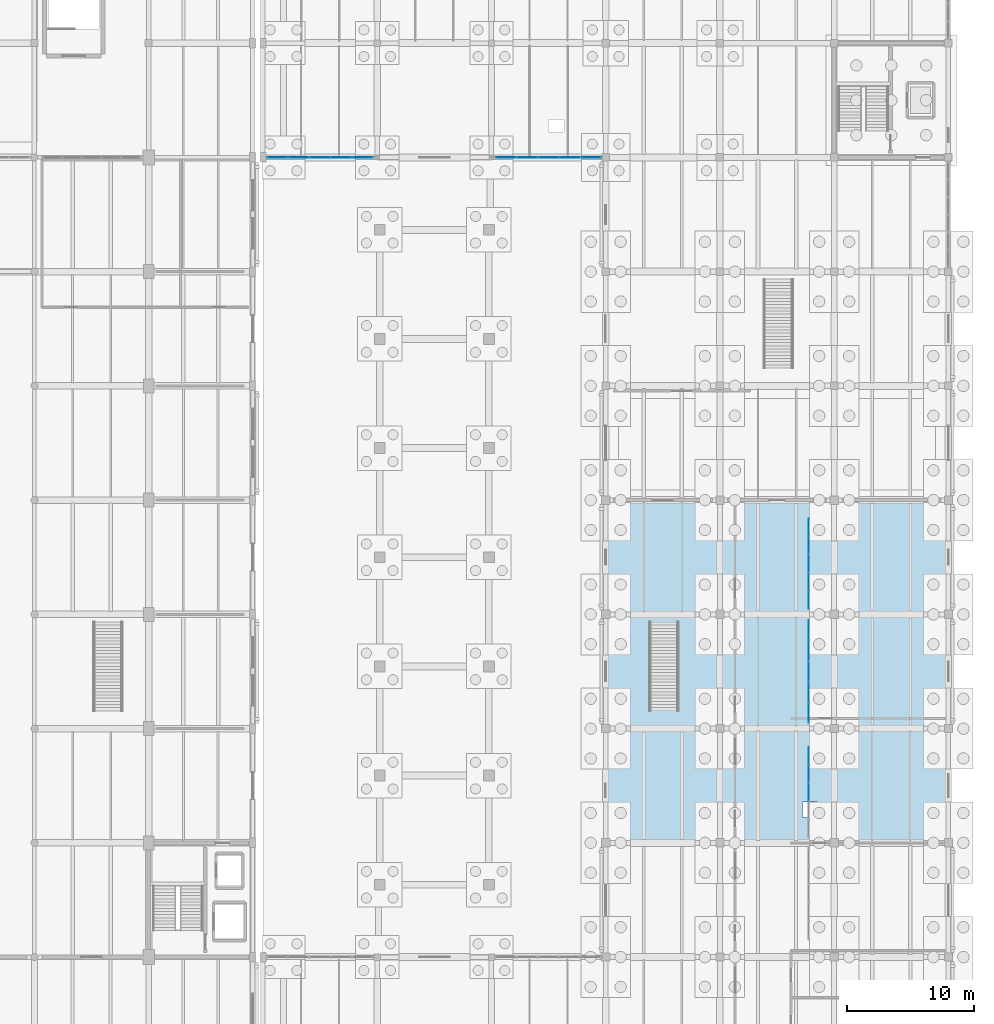
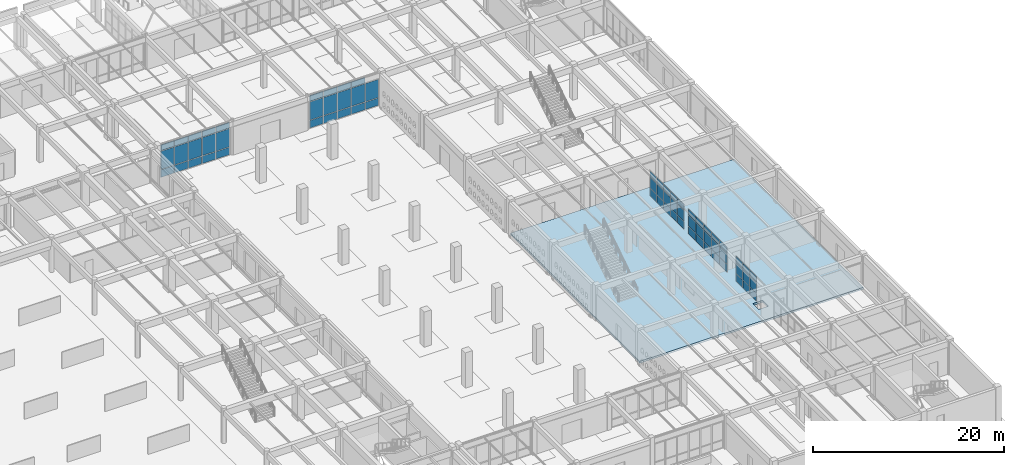
# One storey, part 152 of 186: 68 plates, 1 slab, 5 elements without a shape of their own.
"""IFC4 building model written with IfcOpenShell, lengths in metres."""

from ifc_helpers import new_model, si_unit, direction, frame, origin, origin_2d, place, context, subcontext, project, spatial, polyline, rectangle, outline, extrude, material, layer, layer_set, type_object, element, aggregate, save


model = new_model("IFC4")

# Units and contexts
model_context = context("Model", 3, precision=1e-05, world=origin(), true_north=direction((0.0, 1.0)))
body_context = subcontext(model_context, "Body", "Model", "MODEL_VIEW")
ifc_project = project(units=[si_unit("LENGTHUNIT", "METRE"), si_unit("AREAUNIT", "SQUARE_METRE"), si_unit("VOLUMEUNIT", "CUBIC_METRE"), si_unit("PLANEANGLEUNIT", "RADIAN"), si_unit("MASSUNIT", "GRAM", prefix="KILO")], contexts=[model_context])

# Site, building, storey
site_placement = place(None, origin())
site = spatial("IfcSite", under=ifc_project, at=site_placement, CompositionType="ELEMENT")
building_placement = place(site_placement, origin())
building = spatial("IfcBuilding", under=site, at=building_placement, Name="Ornek Quay Market", CompositionType="ELEMENT")
storey_placement = place(building_placement, origin())
storey = spatial("IfcBuildingStorey", under=building, at=storey_placement, Name="L00", CompositionType="ELEMENT", Elevation=0.0)

# Curtain wall, plates
ifc_material_1 = material(Name="Anodised bronze aluminium and triple low-e glass", Category="aluminium")
ifc_layer_1 = layer(ifc_material_1, 0.139892578125, Name="Anodised bronze aluminium and triple low-e glass", Category="aluminium")
ifc_layer_set_1 = layer_set([ifc_layer_1], Name="Anodised bronze aluminium and triple low-e glass")
curtain_wall_type_1 = type_object("IfcCurtainWallType", Name="CW-GALLERY-INT", PredefinedType="USERDEFINED", material=ifc_layer_set_1)
curtain_wall_1_placement = place(storey_placement, origin())
curtain_wall_1 = element("IfcCurtainWall", 1, at=curtain_wall_1_placement, inside=storey, type_object=curtain_wall_type_1, Name="Curtain wall CW-160", ObjectType="CURTAIN WALL", PredefinedType="USERDEFINED")
ifc_material_2 = material(Name="Toughened laminated acoustic glass", Category="glass")
ifc_layer_2 = layer(ifc_material_2, 0.01611328125, Name="Toughened laminated acoustic glass", Category="glass")
ifc_layer_set_2 = layer_set([ifc_layer_2], Name="Toughened laminated acoustic glass")
plate_type_1 = type_object("IfcPlateType", Name="PL-CW-INT-16", PredefinedType="CURTAIN_PANEL", material=ifc_layer_set_2)
plate_1_placement = place(storey_placement, frame((169.0, 42.0, 0.06005859375), z_axis=(0.0, 0.0, 1.0), x_axis=(0.0, 1.0, 0.0)))
plate_1 = element("IfcPlate", 2, at=plate_1_placement, type_object=plate_type_1, Name="CW-160 panel 3.1", PredefinedType="CURTAIN_PANEL", context=body_context, shape_type="SweptSolid", body=[
    extrude(rectangle(XDim=1.3798828125, YDim=0.01611328125, at=origin_2d()), origin(), (0.0, 0.0, 1.0), 0.9599609375),
])
plate_2_placement = place(storey_placement, frame((169.0, 42.0, 1.080078125), z_axis=(0.0, 0.0, 1.0), x_axis=(0.0, 1.0, 0.0)))
plate_2 = element("IfcPlate", 3, at=plate_2_placement, type_object=plate_type_1, Name="CW-160 panel 3.2", PredefinedType="CURTAIN_PANEL", context=body_context, shape_type="SweptSolid", body=[
    extrude(rectangle(XDim=1.3798828125, YDim=0.01611328125, at=origin_2d()), origin(), (0.0, 0.0, 1.0), 1.340087890625),
])
plate_3_placement = place(storey_placement, frame((169.0, 42.0, 2.47998046875), z_axis=(0.0, 0.0, 1.0), x_axis=(0.0, 1.0, 0.0)))
plate_3 = element("IfcPlate", 4, at=plate_3_placement, type_object=plate_type_1, Name="CW-160 panel 3.3", PredefinedType="CURTAIN_PANEL", context=body_context, shape_type="SweptSolid", body=[
    extrude(rectangle(XDim=1.3798828125, YDim=0.01611328125, at=origin_2d()), origin(), (0.0, 0.0, 1.0), 0.760009765625),
])
plate_4_placement = place(storey_placement, frame((169.0, 43.43994140625, 0.06005859375), z_axis=(0.0, 0.0, 1.0), x_axis=(0.0, 1.0, 0.0)))
plate_4 = element("IfcPlate", 5, at=plate_4_placement, type_object=plate_type_1, Name="CW-160 panel 4.1", PredefinedType="CURTAIN_PANEL", context=body_context, shape_type="SweptSolid", body=[
    extrude(rectangle(XDim=1.3798828125, YDim=0.01611328125, at=origin_2d()), origin(), (0.0, 0.0, 1.0), 0.9599609375),
])
plate_5_placement = place(storey_placement, frame((169.0, 43.43994140625, 1.080078125), z_axis=(0.0, 0.0, 1.0), x_axis=(0.0, 1.0, 0.0)))
plate_5 = element("IfcPlate", 6, at=plate_5_placement, type_object=plate_type_1, Name="CW-160 panel 4.2", PredefinedType="CURTAIN_PANEL", context=body_context, shape_type="SweptSolid", body=[
    extrude(rectangle(XDim=1.3798828125, YDim=0.01611328125, at=origin_2d()), origin(), (0.0, 0.0, 1.0), 1.340087890625),
])
plate_6_placement = place(storey_placement, frame((169.0, 43.43994140625, 2.47998046875), z_axis=(0.0, 0.0, 1.0), x_axis=(0.0, 1.0, 0.0)))
plate_6 = element("IfcPlate", 7, at=plate_6_placement, type_object=plate_type_1, Name="CW-160 panel 4.3", PredefinedType="CURTAIN_PANEL", context=body_context, shape_type="SweptSolid", body=[
    extrude(rectangle(XDim=1.3798828125, YDim=0.01611328125, at=origin_2d()), origin(), (0.0, 0.0, 1.0), 0.760009765625),
])
plate_7_placement = place(storey_placement, frame((169.0, 44.864990234375, 0.06005859375), z_axis=(0.0, 0.0, 1.0), x_axis=(0.0, 1.0, 0.0)))
plate_7 = element("IfcPlate", 8, at=plate_7_placement, type_object=plate_type_1, Name="CW-160 panel 5.1", PredefinedType="CURTAIN_PANEL", context=body_context, shape_type="SweptSolid", body=[
    extrude(rectangle(XDim=1.35009765625, YDim=0.01611328125, at=origin_2d()), origin(), (0.0, 0.0, 1.0), 0.9599609375),
])
plate_8_placement = place(storey_placement, frame((169.0, 44.864990234375, 1.080078125), z_axis=(0.0, 0.0, 1.0), x_axis=(0.0, 1.0, 0.0)))
plate_8 = element("IfcPlate", 9, at=plate_8_placement, type_object=plate_type_1, Name="CW-160 panel 5.2", PredefinedType="CURTAIN_PANEL", context=body_context, shape_type="SweptSolid", body=[
    extrude(rectangle(XDim=1.35009765625, YDim=0.01611328125, at=origin_2d()), origin(), (0.0, 0.0, 1.0), 1.340087890625),
])
plate_9_placement = place(storey_placement, frame((169.0, 44.864990234375, 2.47998046875), z_axis=(0.0, 0.0, 1.0), x_axis=(0.0, 1.0, 0.0)))
plate_9 = element("IfcPlate", 10, at=plate_9_placement, type_object=plate_type_1, Name="CW-160 panel 5.3", PredefinedType="CURTAIN_PANEL", context=body_context, shape_type="SweptSolid", body=[
    extrude(rectangle(XDim=1.35009765625, YDim=0.01611328125, at=origin_2d()), origin(), (0.0, 0.0, 1.0), 0.760009765625),
])
aggregate(curtain_wall_1, [plate_1, plate_2, plate_3, plate_4, plate_5, plate_6, plate_7, plate_8, plate_9])

curtain_wall_2_placement = place(storey_placement, origin())
curtain_wall_2 = element("IfcCurtainWall", 11, at=curtain_wall_2_placement, inside=storey, type_object=curtain_wall_type_1, Name="Curtain wall CW-161", ObjectType="CURTAIN WALL", PredefinedType="USERDEFINED")
plate_10_placement = place(storey_placement, frame((169.0, 48.235107421875, 0.06005859375), z_axis=(0.0, 0.0, 1.0), x_axis=(0.0, 1.0, 0.0)))
plate_10 = element("IfcPlate", 12, at=plate_10_placement, type_object=plate_type_1, Name="CW-161 panel 1.1", PredefinedType="CURTAIN_PANEL", context=body_context, shape_type="SweptSolid", body=[
    extrude(rectangle(XDim=1.550048828125, YDim=0.01611328125, at=origin_2d()), origin(), (0.0, 0.0, 1.0), 0.9599609375),
])
plate_11_placement = place(storey_placement, frame((169.0, 48.235107421875, 1.080078125), z_axis=(0.0, 0.0, 1.0), x_axis=(0.0, 1.0, 0.0)))
plate_11 = element("IfcPlate", 13, at=plate_11_placement, type_object=plate_type_1, Name="CW-161 panel 1.2", PredefinedType="CURTAIN_PANEL", context=body_context, shape_type="SweptSolid", body=[
    extrude(rectangle(XDim=1.550048828125, YDim=0.01611328125, at=origin_2d()), origin(), (0.0, 0.0, 1.0), 1.340087890625),
])
plate_12_placement = place(storey_placement, frame((169.0, 48.235107421875, 2.47998046875), z_axis=(0.0, 0.0, 1.0), x_axis=(0.0, 1.0, 0.0)))
plate_12 = element("IfcPlate", 14, at=plate_12_placement, type_object=plate_type_1, Name="CW-161 panel 1.3", PredefinedType="CURTAIN_PANEL", context=body_context, shape_type="SweptSolid", body=[
    extrude(rectangle(XDim=1.550048828125, YDim=0.01611328125, at=origin_2d()), origin(), (0.0, 0.0, 1.0), 0.760009765625),
])
plate_13_placement = place(storey_placement, frame((169.0, 49.860107421875, 0.06005859375), z_axis=(0.0, 0.0, 1.0), x_axis=(0.0, 1.0, 0.0)))
plate_13 = element("IfcPlate", 15, at=plate_13_placement, type_object=plate_type_1, Name="CW-161 panel 2.1", PredefinedType="CURTAIN_PANEL", context=body_context, shape_type="SweptSolid", body=[
    extrude(rectangle(XDim=1.580078125, YDim=0.01611328125, at=origin_2d()), origin(), (0.0, 0.0, 1.0), 0.9599609375),
])
plate_14_placement = place(storey_placement, frame((169.0, 49.860107421875, 1.080078125), z_axis=(0.0, 0.0, 1.0), x_axis=(0.0, 1.0, 0.0)))
plate_14 = element("IfcPlate", 16, at=plate_14_placement, type_object=plate_type_1, Name="CW-161 panel 2.2", PredefinedType="CURTAIN_PANEL", context=body_context, shape_type="SweptSolid", body=[
    extrude(rectangle(XDim=1.580078125, YDim=0.01611328125, at=origin_2d()), origin(), (0.0, 0.0, 1.0), 1.340087890625),
])
plate_15_placement = place(storey_placement, frame((169.0, 49.860107421875, 2.47998046875), z_axis=(0.0, 0.0, 1.0), x_axis=(0.0, 1.0, 0.0)))
plate_15 = element("IfcPlate", 17, at=plate_15_placement, type_object=plate_type_1, Name="CW-161 panel 2.3", PredefinedType="CURTAIN_PANEL", context=body_context, shape_type="SweptSolid", body=[
    extrude(rectangle(XDim=1.580078125, YDim=0.01611328125, at=origin_2d()), origin(), (0.0, 0.0, 1.0), 0.760009765625),
])
plate_16_placement = place(storey_placement, frame((169.0, 51.5, 0.06005859375), z_axis=(0.0, 0.0, 1.0), x_axis=(0.0, 1.0, 0.0)))
plate_16 = element("IfcPlate", 18, at=plate_16_placement, type_object=plate_type_1, Name="CW-161 panel 3.1", PredefinedType="CURTAIN_PANEL", context=body_context, shape_type="SweptSolid", body=[
    extrude(rectangle(XDim=1.580078125, YDim=0.01611328125, at=origin_2d()), origin(), (0.0, 0.0, 1.0), 0.9599609375),
])
plate_17_placement = place(storey_placement, frame((169.0, 51.5, 1.080078125), z_axis=(0.0, 0.0, 1.0), x_axis=(0.0, 1.0, 0.0)))
plate_17 = element("IfcPlate", 19, at=plate_17_placement, type_object=plate_type_1, Name="CW-161 panel 3.2", PredefinedType="CURTAIN_PANEL", context=body_context, shape_type="SweptSolid", body=[
    extrude(rectangle(XDim=1.580078125, YDim=0.01611328125, at=origin_2d()), origin(), (0.0, 0.0, 1.0), 1.340087890625),
])
plate_18_placement = place(storey_placement, frame((169.0, 51.5, 2.47998046875), z_axis=(0.0, 0.0, 1.0), x_axis=(0.0, 1.0, 0.0)))
plate_18 = element("IfcPlate", 20, at=plate_18_placement, type_object=plate_type_1, Name="CW-161 panel 3.3", PredefinedType="CURTAIN_PANEL", context=body_context, shape_type="SweptSolid", body=[
    extrude(rectangle(XDim=1.580078125, YDim=0.01611328125, at=origin_2d()), origin(), (0.0, 0.0, 1.0), 0.760009765625),
])
plate_19_placement = place(storey_placement, frame((169.0, 53.139892578125, 0.06005859375), z_axis=(0.0, 0.0, 1.0), x_axis=(0.0, 1.0, 0.0)))
plate_19 = element("IfcPlate", 21, at=plate_19_placement, type_object=plate_type_1, Name="CW-161 panel 4.1", PredefinedType="CURTAIN_PANEL", context=body_context, shape_type="SweptSolid", body=[
    extrude(rectangle(XDim=1.580078125, YDim=0.01611328125, at=origin_2d()), origin(), (0.0, 0.0, 1.0), 0.9599609375),
])
plate_20_placement = place(storey_placement, frame((169.0, 53.139892578125, 1.080078125), z_axis=(0.0, 0.0, 1.0), x_axis=(0.0, 1.0, 0.0)))
plate_20 = element("IfcPlate", 22, at=plate_20_placement, type_object=plate_type_1, Name="CW-161 panel 4.2", PredefinedType="CURTAIN_PANEL", context=body_context, shape_type="SweptSolid", body=[
    extrude(rectangle(XDim=1.580078125, YDim=0.01611328125, at=origin_2d()), origin(), (0.0, 0.0, 1.0), 1.340087890625),
])
plate_21_placement = place(storey_placement, frame((169.0, 53.139892578125, 2.47998046875), z_axis=(0.0, 0.0, 1.0), x_axis=(0.0, 1.0, 0.0)))
plate_21 = element("IfcPlate", 23, at=plate_21_placement, type_object=plate_type_1, Name="CW-161 panel 4.3", PredefinedType="CURTAIN_PANEL", context=body_context, shape_type="SweptSolid", body=[
    extrude(rectangle(XDim=1.580078125, YDim=0.01611328125, at=origin_2d()), origin(), (0.0, 0.0, 1.0), 0.760009765625),
])
plate_22_placement = place(storey_placement, frame((169.0, 54.764892578125, 0.06005859375), z_axis=(0.0, 0.0, 1.0), x_axis=(0.0, 1.0, 0.0)))
plate_22 = element("IfcPlate", 24, at=plate_22_placement, type_object=plate_type_1, Name="CW-161 panel 5.1", PredefinedType="CURTAIN_PANEL", context=body_context, shape_type="SweptSolid", body=[
    extrude(rectangle(XDim=1.550048828125, YDim=0.01611328125, at=origin_2d()), origin(), (0.0, 0.0, 1.0), 0.9599609375),
])
plate_23_placement = place(storey_placement, frame((169.0, 54.764892578125, 1.080078125), z_axis=(0.0, 0.0, 1.0), x_axis=(0.0, 1.0, 0.0)))
plate_23 = element("IfcPlate", 25, at=plate_23_placement, type_object=plate_type_1, Name="CW-161 panel 5.2", PredefinedType="CURTAIN_PANEL", context=body_context, shape_type="SweptSolid", body=[
    extrude(rectangle(XDim=1.550048828125, YDim=0.01611328125, at=origin_2d()), origin(), (0.0, 0.0, 1.0), 1.340087890625),
])
plate_24_placement = place(storey_placement, frame((169.0, 54.764892578125, 2.47998046875), z_axis=(0.0, 0.0, 1.0), x_axis=(0.0, 1.0, 0.0)))
plate_24 = element("IfcPlate", 26, at=plate_24_placement, type_object=plate_type_1, Name="CW-161 panel 5.3", PredefinedType="CURTAIN_PANEL", context=body_context, shape_type="SweptSolid", body=[
    extrude(rectangle(XDim=1.550048828125, YDim=0.01611328125, at=origin_2d()), origin(), (0.0, 0.0, 1.0), 0.760009765625),
])
aggregate(curtain_wall_2, [plate_10, plate_11, plate_12, plate_13, plate_14, plate_15, plate_16, plate_17, plate_18, plate_19, plate_20, plate_21, plate_22, plate_23, plate_24])

curtain_wall_3_placement = place(storey_placement, origin())
curtain_wall_3 = element("IfcCurtainWall", 27, at=curtain_wall_3_placement, inside=storey, type_object=curtain_wall_type_1, Name="Curtain wall CW-162", ObjectType="CURTAIN WALL", PredefinedType="USERDEFINED")
plate_25_placement = place(storey_placement, frame((169.0, 57.135009765625, 0.06005859375), z_axis=(0.0, 0.0, 1.0), x_axis=(0.0, 1.0, 0.0)))
plate_25 = element("IfcPlate", 28, at=plate_25_placement, type_object=plate_type_1, Name="CW-162 panel 1.1", PredefinedType="CURTAIN_PANEL", context=body_context, shape_type="SweptSolid", body=[
    extrude(rectangle(XDim=1.35009765625, YDim=0.01611328125, at=origin_2d()), origin(), (0.0, 0.0, 1.0), 0.9599609375),
])
plate_26_placement = place(storey_placement, frame((169.0, 57.135009765625, 1.080078125), z_axis=(0.0, 0.0, 1.0), x_axis=(0.0, 1.0, 0.0)))
plate_26 = element("IfcPlate", 29, at=plate_26_placement, type_object=plate_type_1, Name="CW-162 panel 1.2", PredefinedType="CURTAIN_PANEL", context=body_context, shape_type="SweptSolid", body=[
    extrude(rectangle(XDim=1.35009765625, YDim=0.01611328125, at=origin_2d()), origin(), (0.0, 0.0, 1.0), 1.340087890625),
])
plate_27_placement = place(storey_placement, frame((169.0, 57.135009765625, 2.47998046875), z_axis=(0.0, 0.0, 1.0), x_axis=(0.0, 1.0, 0.0)))
plate_27 = element("IfcPlate", 30, at=plate_27_placement, type_object=plate_type_1, Name="CW-162 panel 1.3", PredefinedType="CURTAIN_PANEL", context=body_context, shape_type="SweptSolid", body=[
    extrude(rectangle(XDim=1.35009765625, YDim=0.01611328125, at=origin_2d()), origin(), (0.0, 0.0, 1.0), 0.760009765625),
])
plate_28_placement = place(storey_placement, frame((169.0, 58.56005859375, 0.06005859375), z_axis=(0.0, 0.0, 1.0), x_axis=(0.0, 1.0, 0.0)))
plate_28 = element("IfcPlate", 31, at=plate_28_placement, type_object=plate_type_1, Name="CW-162 panel 2.1", PredefinedType="CURTAIN_PANEL", context=body_context, shape_type="SweptSolid", body=[
    extrude(rectangle(XDim=1.3798828125, YDim=0.01611328125, at=origin_2d()), origin(), (0.0, 0.0, 1.0), 0.9599609375),
])
plate_29_placement = place(storey_placement, frame((169.0, 58.56005859375, 1.080078125), z_axis=(0.0, 0.0, 1.0), x_axis=(0.0, 1.0, 0.0)))
plate_29 = element("IfcPlate", 32, at=plate_29_placement, type_object=plate_type_1, Name="CW-162 panel 2.2", PredefinedType="CURTAIN_PANEL", context=body_context, shape_type="SweptSolid", body=[
    extrude(rectangle(XDim=1.3798828125, YDim=0.01611328125, at=origin_2d()), origin(), (0.0, 0.0, 1.0), 1.340087890625),
])
plate_30_placement = place(storey_placement, frame((169.0, 58.56005859375, 2.47998046875), z_axis=(0.0, 0.0, 1.0), x_axis=(0.0, 1.0, 0.0)))
plate_30 = element("IfcPlate", 33, at=plate_30_placement, type_object=plate_type_1, Name="CW-162 panel 2.3", PredefinedType="CURTAIN_PANEL", context=body_context, shape_type="SweptSolid", body=[
    extrude(rectangle(XDim=1.3798828125, YDim=0.01611328125, at=origin_2d()), origin(), (0.0, 0.0, 1.0), 0.760009765625),
])
plate_31_placement = place(storey_placement, frame((169.0, 60.0, 0.06005859375), z_axis=(0.0, 0.0, 1.0), x_axis=(0.0, 1.0, 0.0)))
plate_31 = element("IfcPlate", 34, at=plate_31_placement, type_object=plate_type_1, Name="CW-162 panel 3.1", PredefinedType="CURTAIN_PANEL", context=body_context, shape_type="SweptSolid", body=[
    extrude(rectangle(XDim=1.3798828125, YDim=0.01611328125, at=origin_2d()), origin(), (0.0, 0.0, 1.0), 0.9599609375),
])
plate_32_placement = place(storey_placement, frame((169.0, 60.0, 1.080078125), z_axis=(0.0, 0.0, 1.0), x_axis=(0.0, 1.0, 0.0)))
plate_32 = element("IfcPlate", 35, at=plate_32_placement, type_object=plate_type_1, Name="CW-162 panel 3.2", PredefinedType="CURTAIN_PANEL", context=body_context, shape_type="SweptSolid", body=[
    extrude(rectangle(XDim=1.3798828125, YDim=0.01611328125, at=origin_2d()), origin(), (0.0, 0.0, 1.0), 1.340087890625),
])
plate_33_placement = place(storey_placement, frame((169.0, 60.0, 2.47998046875), z_axis=(0.0, 0.0, 1.0), x_axis=(0.0, 1.0, 0.0)))
plate_33 = element("IfcPlate", 36, at=plate_33_placement, type_object=plate_type_1, Name="CW-162 panel 3.3", PredefinedType="CURTAIN_PANEL", context=body_context, shape_type="SweptSolid", body=[
    extrude(rectangle(XDim=1.3798828125, YDim=0.01611328125, at=origin_2d()), origin(), (0.0, 0.0, 1.0), 0.760009765625),
])
plate_34_placement = place(storey_placement, frame((169.0, 61.43994140625, 0.06005859375), z_axis=(0.0, 0.0, 1.0), x_axis=(0.0, 1.0, 0.0)))
plate_34 = element("IfcPlate", 37, at=plate_34_placement, type_object=plate_type_1, Name="CW-162 panel 4.1", PredefinedType="CURTAIN_PANEL", context=body_context, shape_type="SweptSolid", body=[
    extrude(rectangle(XDim=1.3798828125, YDim=0.01611328125, at=origin_2d()), origin(), (0.0, 0.0, 1.0), 0.9599609375),
])
plate_35_placement = place(storey_placement, frame((169.0, 61.43994140625, 1.080078125), z_axis=(0.0, 0.0, 1.0), x_axis=(0.0, 1.0, 0.0)))
plate_35 = element("IfcPlate", 38, at=plate_35_placement, type_object=plate_type_1, Name="CW-162 panel 4.2", PredefinedType="CURTAIN_PANEL", context=body_context, shape_type="SweptSolid", body=[
    extrude(rectangle(XDim=1.3798828125, YDim=0.01611328125, at=origin_2d()), origin(), (0.0, 0.0, 1.0), 1.340087890625),
])
plate_36_placement = place(storey_placement, frame((169.0, 61.43994140625, 2.47998046875), z_axis=(0.0, 0.0, 1.0), x_axis=(0.0, 1.0, 0.0)))
plate_36 = element("IfcPlate", 39, at=plate_36_placement, type_object=plate_type_1, Name="CW-162 panel 4.3", PredefinedType="CURTAIN_PANEL", context=body_context, shape_type="SweptSolid", body=[
    extrude(rectangle(XDim=1.3798828125, YDim=0.01611328125, at=origin_2d()), origin(), (0.0, 0.0, 1.0), 0.760009765625),
])
plate_37_placement = place(storey_placement, frame((169.0, 62.864990234375, 0.06005859375), z_axis=(0.0, 0.0, 1.0), x_axis=(0.0, 1.0, 0.0)))
plate_37 = element("IfcPlate", 40, at=plate_37_placement, type_object=plate_type_1, Name="CW-162 panel 5.1", PredefinedType="CURTAIN_PANEL", context=body_context, shape_type="SweptSolid", body=[
    extrude(rectangle(XDim=1.35009765625, YDim=0.01611328125, at=origin_2d()), origin(), (0.0, 0.0, 1.0), 0.9599609375),
])
plate_38_placement = place(storey_placement, frame((169.0, 62.864990234375, 1.080078125), z_axis=(0.0, 0.0, 1.0), x_axis=(0.0, 1.0, 0.0)))
plate_38 = element("IfcPlate", 41, at=plate_38_placement, type_object=plate_type_1, Name="CW-162 panel 5.2", PredefinedType="CURTAIN_PANEL", context=body_context, shape_type="SweptSolid", body=[
    extrude(rectangle(XDim=1.35009765625, YDim=0.01611328125, at=origin_2d()), origin(), (0.0, 0.0, 1.0), 1.340087890625),
])
plate_39_placement = place(storey_placement, frame((169.0, 62.864990234375, 2.47998046875), z_axis=(0.0, 0.0, 1.0), x_axis=(0.0, 1.0, 0.0)))
plate_39 = element("IfcPlate", 42, at=plate_39_placement, type_object=plate_type_1, Name="CW-162 panel 5.3", PredefinedType="CURTAIN_PANEL", context=body_context, shape_type="SweptSolid", body=[
    extrude(rectangle(XDim=1.35009765625, YDim=0.01611328125, at=origin_2d()), origin(), (0.0, 0.0, 1.0), 0.760009765625),
])
aggregate(curtain_wall_3, [plate_25, plate_26, plate_27, plate_28, plate_29, plate_30, plate_31, plate_32, plate_33, plate_34, plate_35, plate_36, plate_37, plate_38, plate_39])

ifc_layer_3 = layer(ifc_material_1, 0.199951171875, Name="Anodised bronze aluminium and triple low-e glass", Category="aluminium")
ifc_layer_set_3 = layer_set([ifc_layer_3], Name="Anodised bronze aluminium and triple low-e glass")
curtain_wall_type_2 = type_object("IfcCurtainWallType", Name="CW-CONC-MOD1800", PredefinedType="USERDEFINED", material=ifc_layer_set_3)
curtain_wall_4_placement = place(storey_placement, origin())
curtain_wall_4 = element("IfcCurtainWall", 43, at=curtain_wall_4_placement, inside=storey, type_object=curtain_wall_type_2, Name="Curtain wall CW-026", ObjectType="CURTAIN WALL", PredefinedType="USERDEFINED")
ifc_material_3 = material(Name="Triple insulated low-e glass", Category="glass")
ifc_layer_4 = layer(ifc_material_3, 0.0419921875, Name="Triple insulated low-e glass", Category="glass")
ifc_layer_set_4 = layer_set([ifc_layer_4], Name="Triple insulated low-e glass")
plate_type_2 = type_object("IfcPlateType", Name="PL-CW-TRIPLE-42", PredefinedType="CURTAIN_PANEL", material=ifc_layer_set_4)
plate_40_placement = place(storey_placement, frame((127.15625, 92.0, 0.06494140625), z_axis=(0.0, 0.0, 1.0), x_axis=(1.0, 0.0, 0.0)))
plate_40 = element("IfcPlate", 44, at=plate_40_placement, type_object=plate_type_2, Name="CW-026 panel 1.1", PredefinedType="CURTAIN_PANEL", context=body_context, shape_type="SweptSolid", body=[
    extrude(rectangle(XDim=1.58251953125, YDim=0.0419921875, at=origin_2d()), origin(), (0.0, 0.0, 1.0), 0.952392578125),
])
plate_41_placement = place(storey_placement, frame((127.15625, 92.0, 1.08251953125), z_axis=(0.0, 0.0, 1.0), x_axis=(1.0, 0.0, 0.0)))
plate_41 = element("IfcPlate", 45, at=plate_41_placement, type_object=plate_type_2, Name="CW-026 panel 1.2", PredefinedType="CURTAIN_PANEL", context=body_context, shape_type="SweptSolid", body=[
    extrude(rectangle(XDim=1.58251953125, YDim=0.0419921875, at=origin_2d()), origin(), (0.0, 0.0, 1.0), 2.304931640625),
])
plate_42_placement = place(storey_placement, frame((127.15625, 92.0, 3.45263671875), z_axis=(0.0, 0.0, 1.0), x_axis=(1.0, 0.0, 0.0)))
plate_42 = element("IfcPlate", 46, at=plate_42_placement, type_object=plate_type_2, Name="CW-026 panel 1.3", PredefinedType="CURTAIN_PANEL", context=body_context, shape_type="SweptSolid", body=[
    extrude(rectangle(XDim=1.58251953125, YDim=0.0419921875, at=origin_2d()), origin(), (0.0, 0.0, 1.0), 0.75244140625),
])
plate_43_placement = place(storey_placement, frame((128.820068359375, 92.0, 0.06494140625), z_axis=(0.0, 0.0, 1.0), x_axis=(1.0, 0.0, 0.0)))
plate_43 = element("IfcPlate", 47, at=plate_43_placement, type_object=plate_type_2, Name="CW-026 panel 2.1", PredefinedType="CURTAIN_PANEL", context=body_context, shape_type="SweptSolid", body=[
    extrude(rectangle(XDim=1.614990234375, YDim=0.0419921875, at=origin_2d()), origin(), (0.0, 0.0, 1.0), 0.952392578125),
])
plate_44_placement = place(storey_placement, frame((128.820068359375, 92.0, 1.08251953125), z_axis=(0.0, 0.0, 1.0), x_axis=(1.0, 0.0, 0.0)))
plate_44 = element("IfcPlate", 48, at=plate_44_placement, type_object=plate_type_2, Name="CW-026 panel 2.2", PredefinedType="CURTAIN_PANEL", context=body_context, shape_type="SweptSolid", body=[
    extrude(rectangle(XDim=1.614990234375, YDim=0.0419921875, at=origin_2d()), origin(), (0.0, 0.0, 1.0), 2.304931640625),
])
plate_45_placement = place(storey_placement, frame((128.820068359375, 92.0, 3.45263671875), z_axis=(0.0, 0.0, 1.0), x_axis=(1.0, 0.0, 0.0)))
plate_45 = element("IfcPlate", 49, at=plate_45_placement, type_object=plate_type_2, Name="CW-026 panel 2.3", PredefinedType="CURTAIN_PANEL", context=body_context, shape_type="SweptSolid", body=[
    extrude(rectangle(XDim=1.614990234375, YDim=0.0419921875, at=origin_2d()), origin(), (0.0, 0.0, 1.0), 0.75244140625),
])
plate_46_placement = place(storey_placement, frame((130.5, 92.0, 0.06494140625), z_axis=(0.0, 0.0, 1.0), x_axis=(1.0, 0.0, 0.0)))
plate_46 = element("IfcPlate", 50, at=plate_46_placement, type_object=plate_type_2, Name="CW-026 panel 3.1", PredefinedType="CURTAIN_PANEL", context=body_context, shape_type="SweptSolid", body=[
    extrude(rectangle(XDim=1.614990234375, YDim=0.0419921875, at=origin_2d()), origin(), (0.0, 0.0, 1.0), 0.952392578125),
])
plate_47_placement = place(storey_placement, frame((130.5, 92.0, 1.08251953125), z_axis=(0.0, 0.0, 1.0), x_axis=(1.0, 0.0, 0.0)))
plate_47 = element("IfcPlate", 51, at=plate_47_placement, type_object=plate_type_2, Name="CW-026 panel 3.2", PredefinedType="CURTAIN_PANEL", context=body_context, shape_type="SweptSolid", body=[
    extrude(rectangle(XDim=1.614990234375, YDim=0.0419921875, at=origin_2d()), origin(), (0.0, 0.0, 1.0), 2.304931640625),
])
plate_48_placement = place(storey_placement, frame((130.5, 92.0, 3.45263671875), z_axis=(0.0, 0.0, 1.0), x_axis=(1.0, 0.0, 0.0)))
plate_48 = element("IfcPlate", 52, at=plate_48_placement, type_object=plate_type_2, Name="CW-026 panel 3.3", PredefinedType="CURTAIN_PANEL", context=body_context, shape_type="SweptSolid", body=[
    extrude(rectangle(XDim=1.614990234375, YDim=0.0419921875, at=origin_2d()), origin(), (0.0, 0.0, 1.0), 0.75244140625),
])
plate_49_placement = place(storey_placement, frame((132.179931640625, 92.0, 0.06494140625), z_axis=(0.0, 0.0, 1.0), x_axis=(1.0, 0.0, 0.0)))
plate_49 = element("IfcPlate", 53, at=plate_49_placement, type_object=plate_type_2, Name="CW-026 panel 4.1", PredefinedType="CURTAIN_PANEL", context=body_context, shape_type="SweptSolid", body=[
    extrude(rectangle(XDim=1.614990234375, YDim=0.0419921875, at=origin_2d()), origin(), (0.0, 0.0, 1.0), 0.952392578125),
])
plate_50_placement = place(storey_placement, frame((132.179931640625, 92.0, 1.08251953125), z_axis=(0.0, 0.0, 1.0), x_axis=(1.0, 0.0, 0.0)))
plate_50 = element("IfcPlate", 54, at=plate_50_placement, type_object=plate_type_2, Name="CW-026 panel 4.2", PredefinedType="CURTAIN_PANEL", context=body_context, shape_type="SweptSolid", body=[
    extrude(rectangle(XDim=1.614990234375, YDim=0.0419921875, at=origin_2d()), origin(), (0.0, 0.0, 1.0), 2.304931640625),
])
plate_51_placement = place(storey_placement, frame((132.179931640625, 92.0, 3.45263671875), z_axis=(0.0, 0.0, 1.0), x_axis=(1.0, 0.0, 0.0)))
plate_51 = element("IfcPlate", 55, at=plate_51_placement, type_object=plate_type_2, Name="CW-026 panel 4.3", PredefinedType="CURTAIN_PANEL", context=body_context, shape_type="SweptSolid", body=[
    extrude(rectangle(XDim=1.614990234375, YDim=0.0419921875, at=origin_2d()), origin(), (0.0, 0.0, 1.0), 0.75244140625),
])
plate_52_placement = place(storey_placement, frame((133.84375, 92.0, 0.06494140625), z_axis=(0.0, 0.0, 1.0), x_axis=(1.0, 0.0, 0.0)))
plate_52 = element("IfcPlate", 56, at=plate_52_placement, type_object=plate_type_2, Name="CW-026 panel 5.1", PredefinedType="CURTAIN_PANEL", context=body_context, shape_type="SweptSolid", body=[
    extrude(rectangle(XDim=1.58251953125, YDim=0.0419921875, at=origin_2d()), origin(), (0.0, 0.0, 1.0), 0.952392578125),
])
plate_53_placement = place(storey_placement, frame((133.84375, 92.0, 1.08251953125), z_axis=(0.0, 0.0, 1.0), x_axis=(1.0, 0.0, 0.0)))
plate_53 = element("IfcPlate", 57, at=plate_53_placement, type_object=plate_type_2, Name="CW-026 panel 5.2", PredefinedType="CURTAIN_PANEL", context=body_context, shape_type="SweptSolid", body=[
    extrude(rectangle(XDim=1.58251953125, YDim=0.0419921875, at=origin_2d()), origin(), (0.0, 0.0, 1.0), 2.304931640625),
])
plate_54_placement = place(storey_placement, frame((133.84375, 92.0, 3.45263671875), z_axis=(0.0, 0.0, 1.0), x_axis=(1.0, 0.0, 0.0)))
plate_54 = element("IfcPlate", 58, at=plate_54_placement, type_object=plate_type_2, Name="CW-026 panel 5.3", PredefinedType="CURTAIN_PANEL", context=body_context, shape_type="SweptSolid", body=[
    extrude(rectangle(XDim=1.58251953125, YDim=0.0419921875, at=origin_2d()), origin(), (0.0, 0.0, 1.0), 0.75244140625),
])
aggregate(curtain_wall_4, [plate_40, plate_41, plate_42, plate_43, plate_44, plate_45, plate_46, plate_47, plate_48, plate_49, plate_50, plate_51, plate_52, plate_53, plate_54])

curtain_wall_5_placement = place(storey_placement, origin())
curtain_wall_5 = element("IfcCurtainWall", 59, at=curtain_wall_5_placement, inside=storey, type_object=curtain_wall_type_2, Name="Curtain wall CW-030", ObjectType="CURTAIN WALL", PredefinedType="USERDEFINED")
plate_55_placement = place(storey_placement, frame((145.15625, 92.0, 0.06494140625), z_axis=(0.0, 0.0, 1.0), x_axis=(1.0, 0.0, 0.0)))
plate_55 = element("IfcPlate", 60, at=plate_55_placement, type_object=plate_type_2, Name="CW-030 panel 1.1", PredefinedType="CURTAIN_PANEL", context=body_context, shape_type="SweptSolid", body=[
    extrude(rectangle(XDim=1.58251953125, YDim=0.0419921875, at=origin_2d()), origin(), (0.0, 0.0, 1.0), 0.952392578125),
])
plate_56_placement = place(storey_placement, frame((145.15625, 92.0, 1.08251953125), z_axis=(0.0, 0.0, 1.0), x_axis=(1.0, 0.0, 0.0)))
plate_56 = element("IfcPlate", 61, at=plate_56_placement, type_object=plate_type_2, Name="CW-030 panel 1.2", PredefinedType="CURTAIN_PANEL", context=body_context, shape_type="SweptSolid", body=[
    extrude(rectangle(XDim=1.58251953125, YDim=0.0419921875, at=origin_2d()), origin(), (0.0, 0.0, 1.0), 2.304931640625),
])
plate_57_placement = place(storey_placement, frame((145.15625, 92.0, 3.45263671875), z_axis=(0.0, 0.0, 1.0), x_axis=(1.0, 0.0, 0.0)))
plate_57 = element("IfcPlate", 62, at=plate_57_placement, type_object=plate_type_2, Name="CW-030 panel 1.3", PredefinedType="CURTAIN_PANEL", context=body_context, shape_type="SweptSolid", body=[
    extrude(rectangle(XDim=1.58251953125, YDim=0.0419921875, at=origin_2d()), origin(), (0.0, 0.0, 1.0), 0.75244140625),
])
plate_58_placement = place(storey_placement, frame((146.820068359375, 92.0, 0.06494140625), z_axis=(0.0, 0.0, 1.0), x_axis=(1.0, 0.0, 0.0)))
plate_58 = element("IfcPlate", 63, at=plate_58_placement, type_object=plate_type_2, Name="CW-030 panel 2.1", PredefinedType="CURTAIN_PANEL", context=body_context, shape_type="SweptSolid", body=[
    extrude(rectangle(XDim=1.614990234375, YDim=0.0419921875, at=origin_2d()), origin(), (0.0, 0.0, 1.0), 0.952392578125),
])
plate_59_placement = place(storey_placement, frame((146.820068359375, 92.0, 1.08251953125), z_axis=(0.0, 0.0, 1.0), x_axis=(1.0, 0.0, 0.0)))
plate_59 = element("IfcPlate", 64, at=plate_59_placement, type_object=plate_type_2, Name="CW-030 panel 2.2", PredefinedType="CURTAIN_PANEL", context=body_context, shape_type="SweptSolid", body=[
    extrude(rectangle(XDim=1.614990234375, YDim=0.0419921875, at=origin_2d()), origin(), (0.0, 0.0, 1.0), 2.304931640625),
])
plate_60_placement = place(storey_placement, frame((146.820068359375, 92.0, 3.45263671875), z_axis=(0.0, 0.0, 1.0), x_axis=(1.0, 0.0, 0.0)))
plate_60 = element("IfcPlate", 65, at=plate_60_placement, type_object=plate_type_2, Name="CW-030 panel 2.3", PredefinedType="CURTAIN_PANEL", context=body_context, shape_type="SweptSolid", body=[
    extrude(rectangle(XDim=1.614990234375, YDim=0.0419921875, at=origin_2d()), origin(), (0.0, 0.0, 1.0), 0.75244140625),
])
plate_61_placement = place(storey_placement, frame((148.5, 92.0, 0.06494140625), z_axis=(0.0, 0.0, 1.0), x_axis=(1.0, 0.0, 0.0)))
plate_61 = element("IfcPlate", 66, at=plate_61_placement, type_object=plate_type_2, Name="CW-030 panel 3.1", PredefinedType="CURTAIN_PANEL", context=body_context, shape_type="SweptSolid", body=[
    extrude(rectangle(XDim=1.614990234375, YDim=0.0419921875, at=origin_2d()), origin(), (0.0, 0.0, 1.0), 0.952392578125),
])
plate_62_placement = place(storey_placement, frame((148.5, 92.0, 1.08251953125), z_axis=(0.0, 0.0, 1.0), x_axis=(1.0, 0.0, 0.0)))
plate_62 = element("IfcPlate", 67, at=plate_62_placement, type_object=plate_type_2, Name="CW-030 panel 3.2", PredefinedType="CURTAIN_PANEL", context=body_context, shape_type="SweptSolid", body=[
    extrude(rectangle(XDim=1.614990234375, YDim=0.0419921875, at=origin_2d()), origin(), (0.0, 0.0, 1.0), 2.304931640625),
])
plate_63_placement = place(storey_placement, frame((148.5, 92.0, 3.45263671875), z_axis=(0.0, 0.0, 1.0), x_axis=(1.0, 0.0, 0.0)))
plate_63 = element("IfcPlate", 68, at=plate_63_placement, type_object=plate_type_2, Name="CW-030 panel 3.3", PredefinedType="CURTAIN_PANEL", context=body_context, shape_type="SweptSolid", body=[
    extrude(rectangle(XDim=1.614990234375, YDim=0.0419921875, at=origin_2d()), origin(), (0.0, 0.0, 1.0), 0.75244140625),
])
plate_64_placement = place(storey_placement, frame((150.179931640625, 92.0, 0.06494140625), z_axis=(0.0, 0.0, 1.0), x_axis=(1.0, 0.0, 0.0)))
plate_64 = element("IfcPlate", 69, at=plate_64_placement, type_object=plate_type_2, Name="CW-030 panel 4.1", PredefinedType="CURTAIN_PANEL", context=body_context, shape_type="SweptSolid", body=[
    extrude(rectangle(XDim=1.614990234375, YDim=0.0419921875, at=origin_2d()), origin(), (0.0, 0.0, 1.0), 0.952392578125),
])
plate_65_placement = place(storey_placement, frame((150.179931640625, 92.0, 1.08251953125), z_axis=(0.0, 0.0, 1.0), x_axis=(1.0, 0.0, 0.0)))
plate_65 = element("IfcPlate", 70, at=plate_65_placement, type_object=plate_type_2, Name="CW-030 panel 4.2", PredefinedType="CURTAIN_PANEL", context=body_context, shape_type="SweptSolid", body=[
    extrude(rectangle(XDim=1.614990234375, YDim=0.0419921875, at=origin_2d()), origin(), (0.0, 0.0, 1.0), 2.304931640625),
])
plate_66_placement = place(storey_placement, frame((150.179931640625, 92.0, 3.45263671875), z_axis=(0.0, 0.0, 1.0), x_axis=(1.0, 0.0, 0.0)))
plate_66 = element("IfcPlate", 71, at=plate_66_placement, type_object=plate_type_2, Name="CW-030 panel 4.3", PredefinedType="CURTAIN_PANEL", context=body_context, shape_type="SweptSolid", body=[
    extrude(rectangle(XDim=1.614990234375, YDim=0.0419921875, at=origin_2d()), origin(), (0.0, 0.0, 1.0), 0.75244140625),
])
plate_67_placement = place(storey_placement, frame((151.84375, 92.0, 0.06494140625), z_axis=(0.0, 0.0, 1.0), x_axis=(1.0, 0.0, 0.0)))
plate_67 = element("IfcPlate", 72, at=plate_67_placement, type_object=plate_type_2, Name="CW-030 panel 5.1", PredefinedType="CURTAIN_PANEL", context=body_context, shape_type="SweptSolid", body=[
    extrude(rectangle(XDim=1.58251953125, YDim=0.0419921875, at=origin_2d()), origin(), (0.0, 0.0, 1.0), 0.952392578125),
])
plate_68_placement = place(storey_placement, frame((151.84375, 92.0, 1.08251953125), z_axis=(0.0, 0.0, 1.0), x_axis=(1.0, 0.0, 0.0)))
plate_68 = element("IfcPlate", 73, at=plate_68_placement, type_object=plate_type_2, Name="CW-030 panel 5.2", PredefinedType="CURTAIN_PANEL", context=body_context, shape_type="SweptSolid", body=[
    extrude(rectangle(XDim=1.58251953125, YDim=0.0419921875, at=origin_2d()), origin(), (0.0, 0.0, 1.0), 2.304931640625),
])
aggregate(curtain_wall_5, [plate_55, plate_56, plate_57, plate_58, plate_59, plate_60, plate_61, plate_62, plate_63, plate_64, plate_65, plate_66, plate_67, plate_68])

# Slab
ifc_material_4 = material(Name="Concrete C35/45", Category="concrete")
ifc_layer_5 = layer(ifc_material_4, 0.25, Name="Concrete C35/45", Category="concrete")
ifc_layer_set_5 = layer_set([ifc_layer_5], Name="Concrete C35/45")
slab_type = type_object("IfcSlabType", Name="SL-FLR-CS-250", PredefinedType="FLOOR", material=ifc_layer_set_5)
slab_placement = place(storey_placement, frame((0.0, 0.0, -0.25)))
element("IfcSlab", 74, at=slab_placement, inside=storey, type_object=slab_type, Name="Slab S-021 (L00)", PredefinedType="FLOOR", context=body_context, shape_type="SweptSolid", body=[
    extrude(outline(polyline([(153.0, 38.0), (180.0, 38.0), (180.0, 65.0), (153.0, 65.0), (153.0, 38.0)]), holes=[polyline([(168.5, 41.199951171875), (169.699951171875, 41.199951171875), (169.699951171875, 40.0), (168.5, 40.0), (168.5, 41.199951171875)])]), origin(), (0.0, 0.0, 1.0), 0.25),
])

save(model, "model.ifc")
